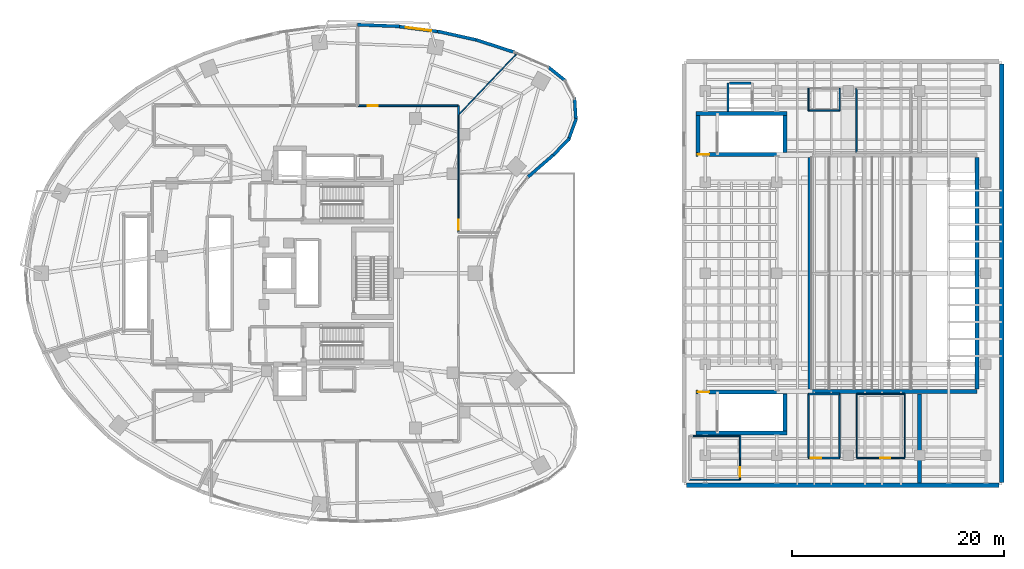
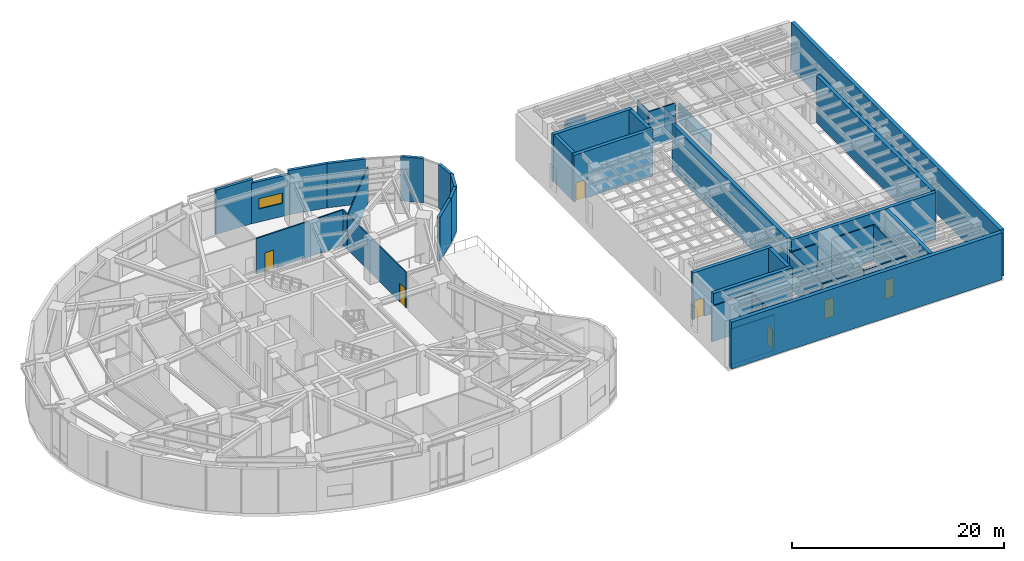
# One storey, part 15 of 19: 44 walls, 7 doors, 1 window, 8 openings.
"""IFC4 building model written with IfcOpenShell, lengths in metres."""

from ifc_helpers import new_model, si_unit, direction, frame, frame_2d, origin, place, context, subcontext, project, spatial, rectangle, extrude, material, layer, layer_set, type_object, element, fill, save


model = new_model("IFC4")

# Units and contexts
model_context = context("Model", 3, precision=1e-05, world=origin(), true_north=direction((0.0, 1.0)))
body_context = subcontext(model_context, "Body", "Model", "MODEL_VIEW")
ifc_project = project(units=[si_unit("LENGTHUNIT", "METRE"), si_unit("AREAUNIT", "SQUARE_METRE"), si_unit("VOLUMEUNIT", "CUBIC_METRE"), si_unit("PLANEANGLEUNIT", "RADIAN"), si_unit("MASSUNIT", "GRAM", prefix="KILO")], contexts=[model_context])

# Site, building, storey
site_placement = place(None, origin())
site = spatial("IfcSite", under=ifc_project, at=site_placement, CompositionType="ELEMENT")
building_placement = place(site_placement, origin())
building = spatial("IfcBuilding", under=site, at=building_placement, Name="Korentha Bioscience Tower", CompositionType="ELEMENT")
storey_placement = place(building_placement, frame((0.0, 0.0, 20.39990234375)))
storey = spatial("IfcBuildingStorey", under=building, at=storey_placement, Name="L04", CompositionType="ELEMENT", Elevation=20.39990234375)

# Wall, opening, door
ifc_material_1 = material(Name="Double-Stud Acoustic Gypsum", Category="gypsum")
ifc_layer_1 = layer(ifc_material_1, 0.14990234375, Name="Double-Stud Acoustic Gypsum")
ifc_layer_set_1 = layer_set([ifc_layer_1], Name="Double-Stud Acoustic Gypsum (IW-L150)")
wall_type_1 = type_object("IfcWallType", Name="Acoustic Laboratory Partition Wall 150", PredefinedType="PARTITIONING", material=ifc_layer_set_1)
wall_1_placement = place(storey_placement, frame((43.199951171875, 42.81005859375, 0.0), z_axis=(0.0, 0.0, 1.0), x_axis=(-1.0, 0.0, 0.0)))
wall_1 = element("IfcWall", 1, at=wall_1_placement, inside=storey, type_object=wall_type_1, Name="L04 Visiting Scholars' Seminar Suite 08 Entrance Wall", PredefinedType="PARTITIONING", context=body_context, shape_type="SweptSolid", body=[
    extrude(rectangle(XDim=9.498046875, YDim=0.14990234375, at=frame_2d((4.7490234375, 0.0))), origin(), (0.0, 0.0, 1.0), 4.110107421875),
])
opening_1_placement = place(wall_1_placement, frame((7.623046875, 0.0, 0.0)))
opening_1 = element("IfcOpeningElement", 2, at=opening_1_placement, cuts=wall_1, Name="Opening ID-10R", PredefinedType="OPENING", context=body_context, shape_type="SweptSolid", body=[
    extrude(rectangle(XDim=0.949951171875, YDim=2.14990234375, at=frame_2d((0.47509765625, 1.074951171875))), frame((0.0, 0.08984375, 0.0), z_axis=(0.0, -1.0, 0.0), x_axis=(1.0, 0.0, 0.0)), (0.0, 0.0, 1.0), 0.1796875),
])
ifc_material_2 = material(Name="Phenolic Laminate Timber Core", Category="wood")
door_type_1 = type_object("IfcDoorType", Name="Laboratory Single Leaf Door 950x2150 Right", OperationType="SINGLE_SWING_RIGHT", PredefinedType="DOOR", material=ifc_material_2)
door_1_placement = place(opening_1_placement, origin())
door_1 = element("IfcDoor", 3, at=door_1_placement, inside=storey, type_object=door_type_1, Name="L04 Visiting Scholars' Seminar Suite 08 Door", OperationType="SINGLE_SWING_RIGHT", OverallHeight=2.14990234375, OverallWidth=0.949951171875, PredefinedType="DOOR", context=body_context, shape_type="SweptSolid", body=[
    extrude(rectangle(XDim=0.949951171875, YDim=2.14990234375, at=frame_2d((0.47509765625, 1.074951171875))), frame((0.0, 0.02490234375, 0.0), z_axis=(0.0, -1.0, 0.0), x_axis=(1.0, 0.0, 0.0)), (0.0, 0.0, 1.0), 0.050048828125),
])
fill(opening_1, door_1)

wall_2_placement = place(storey_placement, frame((79.199951171875, 9.56005859375, 0.0), z_axis=(0.0, 0.0, 1.0), x_axis=(-1.0, 0.0, 0.0)))
wall_2 = element("IfcWall", 4, at=wall_2_placement, inside=storey, type_object=wall_type_1, Name="L04 L04 Soloists' Dressing Suite Entrance Wall", PredefinedType="PARTITIONING", context=body_context, shape_type="SweptSolid", body=[
    extrude(rectangle(XDim=2.949951171875, YDim=0.14990234375, at=frame_2d((1.47509765625, 0.0))), origin(), (0.0, 0.0, 1.0), 4.110107421875),
])
opening_2_placement = place(wall_2_placement, frame((1.760009765625, 0.0, 0.0)))
opening_2 = element("IfcOpeningElement", 5, at=opening_2_placement, cuts=wall_2, Name="Opening ID-10R", PredefinedType="OPENING", context=body_context, shape_type="SweptSolid", body=[
    extrude(rectangle(XDim=0.949951171875, YDim=2.14990234375, at=frame_2d((0.47509765625, 1.074951171875))), frame((0.0, 0.08984375, 0.0), z_axis=(0.0, -1.0, 0.0), x_axis=(1.0, 0.0, 0.0)), (0.0, 0.0, 1.0), 0.1796875),
])
door_2_placement = place(opening_2_placement, origin())
door_2 = element("IfcDoor", 6, at=door_2_placement, inside=storey, type_object=door_type_1, Name="L04 L04 Soloists' Dressing Suite Door", OperationType="SINGLE_SWING_RIGHT", OverallHeight=2.14990234375, OverallWidth=0.949951171875, PredefinedType="DOOR", context=body_context, shape_type="SweptSolid", body=[
    extrude(rectangle(XDim=0.949951171875, YDim=2.14990234375, at=frame_2d((0.47509765625, 1.074951171875))), frame((0.0, 0.02490234375, 0.0), z_axis=(0.0, -1.0, 0.0), x_axis=(1.0, 0.0, 0.0)), (0.0, 0.0, 1.0), 0.050048828125),
])
fill(opening_2, door_2)

# Walls
wall_3_placement = place(storey_placement, frame((43.2099609375, 41.961181640625, 0.0), z_axis=(0.0, 0.0, 1.0), x_axis=(0.0, 1.0, 0.0)))
element("IfcWall", 7, at=wall_3_placement, inside=storey, type_object=wall_type_1, Name="L04 Interior Partition 045", PredefinedType="PARTITIONING", context=body_context, shape_type="SweptSolid", body=[
    extrude(rectangle(XDim=0.8388671875, YDim=0.14990234375, at=frame_2d((0.41943359375, 0.0))), origin(), (0.0, 0.0, 1.0), 4.110107421875),
])
wall_4_placement = place(storey_placement, frame((79.199951171875, 15.60009765625, 0.0), z_axis=(0.0, 0.0, 1.0), x_axis=(0.0, -1.0, 0.0)))
element("IfcWall", 8, at=wall_4_placement, inside=storey, type_object=wall_type_1, Name="L04 Interior Partition 065", PredefinedType="PARTITIONING", context=body_context, shape_type="SweptSolid", body=[
    extrude(rectangle(XDim=6.0400390625, YDim=0.14990234375, at=frame_2d((3.02001953125, 0.0))), origin(), (0.0, 0.0, 1.0), 2.22021484375),
])
wall_5_placement = place(storey_placement, frame((76.25, 9.56005859375, 0.0), z_axis=(0.0, 0.0, 1.0), x_axis=(0.0, 1.0, 0.0)))
element("IfcWall", 9, at=wall_5_placement, inside=storey, type_object=wall_type_1, Name="L04 Interior Partition 066", PredefinedType="PARTITIONING", context=body_context, shape_type="SweptSolid", body=[
    extrude(rectangle(XDim=6.0400390625, YDim=0.14990234375, at=frame_2d((3.02001953125, 0.0))), origin(), (0.0, 0.0, 1.0), 4.110107421875),
])
wall_6_placement = place(storey_placement, frame((76.25, 15.60009765625, 0.0), z_axis=(0.0, 0.0, 1.0), x_axis=(1.0, 0.0, 0.0)))
element("IfcWall", 10, at=wall_6_placement, inside=storey, type_object=wall_type_1, Name="L04 Interior Partition 067", PredefinedType="PARTITIONING", context=body_context, shape_type="SweptSolid", body=[
    extrude(rectangle(XDim=2.949951171875, YDim=0.14990234375, at=frame_2d((1.47509765625, 0.0))), origin(), (0.0, 0.0, 1.0), 4.110107421875),
])

# Wall, opening, door
ifc_material_3 = material(Name="Fire-Rated Framed Glass", Category="glass")
ifc_layer_2 = layer(ifc_material_3, 0.110107421875, Name="Fire-Rated Framed Glass")
ifc_layer_set_2 = layer_set([ifc_layer_2], Name="Fire-Rated Framed Glass (IW-G110)")
wall_type_2 = type_object("IfcWallType", Name="Demountable Glazed Office Partition 110", PredefinedType="MOVABLE", material=ifc_layer_set_2)
wall_7_placement = place(storey_placement, frame((43.2099609375, 30.85205078125, 0.0), z_axis=(0.0, 0.0, 1.0), x_axis=(0.0, 1.0, 0.0)))
wall_7 = element("IfcWall", 11, at=wall_7_placement, inside=storey, type_object=wall_type_2, Name="L04 Industry Incubator Co-Working Studio 07 Entrance Wall", PredefinedType="MOVABLE", context=body_context, shape_type="SweptSolid", body=[
    extrude(rectangle(XDim=11.0947265625, YDim=0.110107421875, at=frame_2d((5.54736328125, 0.0))), origin(), (0.0, 0.0, 1.0), 4.110107421875),
])
opening_3_placement = place(wall_7_placement, frame((0.239990234375, 0.0, 0.0)))
opening_3 = element("IfcOpeningElement", 12, at=opening_3_placement, cuts=wall_7, Name="Opening ID-10L", PredefinedType="OPENING", context=body_context, shape_type="SweptSolid", body=[
    extrude(rectangle(XDim=0.949951171875, YDim=2.14990234375, at=frame_2d((0.47509765625, 1.074951171875))), frame((0.0, 0.06982421875, 0.0), z_axis=(0.0, -1.0, 0.0), x_axis=(1.0, 0.0, 0.0)), (0.0, 0.0, 1.0), 0.139892578125),
])
door_type_2 = type_object("IfcDoorType", Name="Laboratory Single Leaf Door 950x2150 Left", OperationType="SINGLE_SWING_LEFT", PredefinedType="DOOR", material=ifc_material_2)
door_3_placement = place(opening_3_placement, origin())
door_3 = element("IfcDoor", 13, at=door_3_placement, inside=storey, type_object=door_type_2, Name="L04 Industry Incubator Co-Working Studio 07 Door", OperationType="SINGLE_SWING_LEFT", OverallHeight=2.14990234375, OverallWidth=0.949951171875, PredefinedType="DOOR", context=body_context, shape_type="SweptSolid", body=[
    extrude(rectangle(XDim=0.949951171875, YDim=2.14990234375, at=frame_2d((0.47509765625, 1.074951171875))), frame((0.0, 0.02490234375, 0.0), z_axis=(0.0, -1.0, 0.0), x_axis=(1.0, 0.0, 0.0)), (0.0, 0.0, 1.0), 0.050048828125),
])
fill(opening_3, door_3)

wall_8_placement = place(storey_placement, frame((85.35009765625, 9.56005859375, 0.0), z_axis=(0.0, 0.0, 1.0), x_axis=(-1.0, 0.0, 0.0)))
wall_8 = element("IfcWall", 14, at=wall_8_placement, inside=storey, type_object=wall_type_2, Name="L04 L04 Ensemble Rehearsal Studio Entrance Wall", PredefinedType="MOVABLE", context=body_context, shape_type="SweptSolid", body=[
    extrude(rectangle(XDim=4.550048828125, YDim=0.110107421875, at=frame_2d((2.27490234375, 0.0))), origin(), (0.0, 0.0, 1.0), 4.110107421875),
])
opening_4_placement = place(wall_8_placement, frame((1.369140625, 0.0, 0.0)))
opening_4 = element("IfcOpeningElement", 15, at=opening_4_placement, cuts=wall_8, Name="Opening ID-10L", PredefinedType="OPENING", context=body_context, shape_type="SweptSolid", body=[
    extrude(rectangle(XDim=0.949951171875, YDim=2.14990234375, at=frame_2d((0.47509765625, 1.074951171875))), frame((0.0, 0.06982421875, 0.0), z_axis=(0.0, -1.0, 0.0), x_axis=(1.0, 0.0, 0.0)), (0.0, 0.0, 1.0), 0.139892578125),
])
door_4_placement = place(opening_4_placement, origin())
door_4 = element("IfcDoor", 16, at=door_4_placement, inside=storey, type_object=door_type_2, Name="L04 L04 Ensemble Rehearsal Studio Door", OperationType="SINGLE_SWING_LEFT", OverallHeight=2.14990234375, OverallWidth=0.949951171875, PredefinedType="DOOR", context=body_context, shape_type="SweptSolid", body=[
    extrude(rectangle(XDim=0.949951171875, YDim=2.14990234375, at=frame_2d((0.47509765625, 1.074951171875))), frame((0.0, 0.02490234375, 0.0), z_axis=(0.0, -1.0, 0.0), x_axis=(1.0, 0.0, 0.0)), (0.0, 0.0, 1.0), 0.050048828125),
])
fill(opening_4, door_4)

# Walls
wall_9_placement = place(storey_placement, frame((43.2099609375, 41.94677734375, 0.0), z_axis=(0.0, 0.0, 1.0), x_axis=(0.689609379857, 0.724181540232, 0.0)))
element("IfcWall", 17, at=wall_9_placement, inside=storey, type_object=wall_type_2, Name="L04 Interior Partition 044", PredefinedType="MOVABLE", context=body_context, shape_type="SweptSolid", body=[
    extrude(rectangle(XDim=8.12109375, YDim=0.110107421875, at=frame_2d((4.060546875, 0.0))), origin(), (0.0, 0.0, 1.0), 4.110107421875),
])
for number, where, z_axis, x_axis, name in (
    (18, (85.35009765625, 15.60009765625, 0.0), (0.0, 0.0, 1.0), (0.0, -1.0, 0.0), "L04 Interior Partition 068"),
    (19, (80.800048828125, 9.56005859375, 0.0), (0.0, 0.0, 1.0), (0.0, 1.0, 0.0), "L04 Interior Partition 069"),
):
    element("IfcWall", number, at=place(storey_placement, frame(where, z_axis=z_axis, x_axis=x_axis)), inside=storey, type_object=wall_type_2, Name=name, PredefinedType="MOVABLE", context=body_context, shape_type="SweptSolid", body=[
        extrude(rectangle(XDim=6.0400390625, YDim=0.110107421875, at=frame_2d((3.02001953125, 0.0))), origin(), (0.0, 0.0, 1.0), 4.110107421875),
    ])
wall_10_placement = place(storey_placement, frame((80.800048828125, 15.60009765625, 0.0), z_axis=(0.0, 0.0, 1.0), x_axis=(1.0, 0.0, 0.0)))
element("IfcWall", 20, at=wall_10_placement, inside=storey, type_object=wall_type_2, Name="L04 Interior Partition 070", PredefinedType="MOVABLE", context=body_context, shape_type="SweptSolid", body=[
    extrude(rectangle(XDim=4.550048828125, YDim=0.110107421875, at=frame_2d((2.27490234375, 0.0))), origin(), (0.0, 0.0, 1.0), 4.110107421875),
])
ifc_material_4 = material(Name="Gypsum-Clad Steel Stud", Category="steel")
ifc_layer_3 = layer(ifc_material_4, 0.159912109375, Name="Gypsum-Clad Steel Stud")
ifc_layer_set_3 = layer_set([ifc_layer_3], Name="Gypsum-Clad Steel Stud (IW-C160)")
wall_type_3 = type_object("IfcWallType", Name="Fire-Rated Corridor Partition Wall 160", PredefinedType="PARTITIONING", material=ifc_layer_set_3)
wall_11_placement = place(storey_placement, frame((80.800048828125, 38.39990234375, 0.0), z_axis=(0.0, 0.0, 1.0), x_axis=(0.0, 1.0, 0.0)))
element("IfcWall", 21, at=wall_11_placement, inside=storey, type_object=wall_type_3, Name="L04 Interior Partition 072", PredefinedType="PARTITIONING", context=body_context, shape_type="SweptSolid", body=[
    extrude(rectangle(XDim=6.0400390625, YDim=0.159912109375, at=frame_2d((3.02001953125, 0.0))), origin(), (0.0, 0.0, 1.0), 2.22021484375),
])

# Wall, opening, window
ifc_material_5 = material(Name="Honed Limestone Precast Concrete C40", Category="masonry")
ifc_layer_4 = layer(ifc_material_5, 0.300048828125, Name="Honed Limestone Precast Concrete C40")
ifc_layer_set_4 = layer_set([ifc_layer_4], Name="Honed Limestone Precast Concrete C40 (EW-ST300)")
wall_type_4 = type_object("IfcWallType", Name="Honed Limestone Cavity Spandrel Wall 300", PredefinedType="STANDARD", material=ifc_layer_set_4)
wall_12_placement = place(storey_placement, frame((41.37255859375, 49.797607421875, 0.0), z_axis=(0.0, 0.0, 1.0), x_axis=(-0.991741322416, 0.128254237408, 0.0)))
wall_12 = element("IfcWall", 22, at=wall_12_placement, inside=storey, type_object=wall_type_4, Name="L04 Honed Limestone Spandrel Wall 04", PredefinedType="STANDARD", context=body_context, shape_type="SweptSolid", body=[
    extrude(rectangle(XDim=3.91552734375, YDim=0.300048828125, at=frame_2d((1.957763671875, 0.0))), origin(), (0.0, 0.0, 1.0), 4.670166015625),
])
opening_5_placement = place(wall_12_placement, frame((0.7578125, 0.0, 1.5)))
opening_5 = element("IfcOpeningElement", 23, at=opening_5_placement, cuts=wall_12, Name="Opening WN-04", PredefinedType="OPENING", context=body_context, shape_type="SweptSolid", body=[
    extrude(rectangle(XDim=2.39990234375, YDim=1.199951171875, at=frame_2d((1.199951171875, 0.60009765625))), frame((0.0, 0.1650390625, 0.0), z_axis=(0.0, -1.0, 0.0), x_axis=(1.0, 0.0, 0.0)), (0.0, 0.0, 1.0), 0.329833984375),
])
ifc_material_6 = material(Name="Thermally Broken Aluminium Triple Glazing", Category="aluminium")
window_type = type_object("IfcWindowType", Name="Podium Clerestory Ribbon Window 2400x1200", PartitioningType="DOUBLE_PANEL_HORIZONTAL", PredefinedType="WINDOW", material=ifc_material_6)
window_placement = place(opening_5_placement, origin())
window = element("IfcWindow", 24, at=window_placement, inside=storey, type_object=window_type, Name="L04 Facade Window 04", OverallHeight=1.199951171875, OverallWidth=2.39990234375, PartitioningType="DOUBLE_PANEL_HORIZONTAL", PredefinedType="WINDOW", context=body_context, shape_type="SweptSolid", body=[
    extrude(rectangle(XDim=2.39990234375, YDim=1.199951171875, at=frame_2d((1.199951171875, 0.60009765625))), frame((0.0, 0.030029296875, 0.0), z_axis=(0.0, -1.0, 0.0), x_axis=(1.0, 0.0, 0.0)), (0.0, 0.0, 1.0), 0.06005859375),
])
fill(opening_5, window)

# Walls
wall_13_placement = place(storey_placement, frame((48.524658203125, 47.84912109375, 0.0), z_axis=(0.0, 0.0, 1.0), x_axis=(-0.950965833732, 0.309295947393, 0.0)))
element("IfcWall", 25, at=wall_13_placement, inside=storey, type_object=wall_type_4, Name="L04 Limestone Perimeter Closure Wall 02", PredefinedType="STANDARD", context=body_context, shape_type="SweptSolid", body=[
    extrude(rectangle(XDim=3.840087890625, YDim=0.300048828125, at=frame_2d((1.919921875, 0.0))), origin(), (0.0, 0.0, 1.0), 5.10009765625),
])
wall_14_placement = place(storey_placement, frame((45.03955078125, 48.9912109375, 0.0), z_axis=(0.0, 0.0, 1.0), x_axis=(-0.975868573345, 0.218358713032, 0.0)))
element("IfcWall", 26, at=wall_14_placement, inside=storey, type_object=wall_type_4, Name="L04 Limestone Perimeter Closure Wall 03", PredefinedType="STANDARD", context=body_context, shape_type="SweptSolid", body=[
    extrude(rectangle(XDim=3.90869140625, YDim=0.300048828125, at=frame_2d((1.954345703125, 0.0))), origin(), (0.0, 0.0, 1.0), 5.10009765625),
])
wall_15_placement = place(storey_placement, frame((37.643798828125, 50.307861328125, 0.0), z_axis=(0.0, 0.0, 1.0), x_axis=(-0.999245411623, 0.038840794937, 0.0)))
element("IfcWall", 27, at=wall_15_placement, inside=storey, type_object=wall_type_4, Name="L04 Limestone Perimeter Closure Wall 05", PredefinedType="STANDARD", context=body_context, shape_type="SweptSolid", body=[
    extrude(rectangle(XDim=3.978759765625, YDim=0.300048828125, at=frame_2d((1.9892578125, 0.0))), origin(), (0.0, 0.0, 1.0), 5.10009765625),
])
wall_16_placement = place(storey_placement, frame((49.708984375, 36.029296875, 0.0), z_axis=(0.0, 0.0, 1.0), x_axis=(0.754746490246, 0.656016566454, 0.0)))
element("IfcWall", 28, at=wall_16_placement, inside=storey, type_object=wall_type_4, Name="L04 Limestone Perimeter Closure Wall 56", PredefinedType="STANDARD", context=body_context, shape_type="SweptSolid", body=[
    extrude(rectangle(XDim=3.4296875, YDim=0.300048828125, at=frame_2d((1.71484375, 0.0))), origin(), (0.0, 0.0, 1.0), 5.10009765625),
])
wall_17_placement = place(storey_placement, frame((52.1728515625, 38.1611328125, 0.0), z_axis=(0.0, 0.0, 1.0), x_axis=(0.695404695719, 0.718618333451, 0.0)))
element("IfcWall", 29, at=wall_17_placement, inside=storey, type_object=wall_type_4, Name="L04 Limestone Perimeter Closure Wall 58", PredefinedType="STANDARD", context=body_context, shape_type="SweptSolid", body=[
    extrude(rectangle(XDim=2.1875, YDim=0.300048828125, at=frame_2d((1.09375, 0.0))), origin(), (0.0, 0.0, 1.0), 5.10009765625),
])
for number, where, z_axis, x_axis, name in (
    (30, (53.580078125, 39.551513671875, 0.0), (0.0, 0.0, 1.0), (0.344939866054, 0.938624785954, 0.0), "L04 Limestone Perimeter Closure Wall 59"),
    (31, (54.303955078125, 41.392578125, 0.0), (0.0, 0.0, 1.0), (-0.064615302336, 0.99791024782, 0.0), "L04 Limestone Perimeter Closure Wall 60"),
    (32, (53.343994140625, 45.142822265625, 0.0), (0.0, 0.0, 1.0), (-0.782282158644, 0.622924252432, 0.0), "L04 Limestone Perimeter Closure Wall 62"),
):
    element("IfcWall", number, at=place(storey_placement, frame(where, z_axis=z_axis, x_axis=x_axis)), inside=storey, type_object=wall_type_4, Name=name, PredefinedType="STANDARD", context=body_context, shape_type="SweptSolid", body=[
        extrude(rectangle(XDim=2.187744140625, YDim=0.300048828125, at=frame_2d((1.09375, 0.0))), origin(), (0.0, 0.0, 1.0), 5.10009765625),
    ])
ifc_material_7 = material(Name="Autoclaved Aerated Concrete Block C25", Category="concrete")
ifc_layer_5 = layer(ifc_material_7, 0.199951171875, Name="Autoclaved Aerated Concrete Block C25")
ifc_layer_set_5 = layer_set([ifc_layer_5], Name="Autoclaved Aerated Concrete Block C25 (IW-S200)")
wall_type_5 = type_object("IfcWallType", Name="Lift and Riser Shaft Enclosure Wall 200", PredefinedType="PARTITIONING", material=ifc_layer_set_5)
wall_18_placement = place(storey_placement, frame((68.659912109375, 42.260009765625, 0.0), z_axis=(0.0, 0.0, 1.0), x_axis=(0.0, 1.0, 0.0)))
element("IfcWall", 33, at=wall_18_placement, inside=storey, type_object=wall_type_5, Name="L04 Lift Bank LT1 Shaft Wall -X", PredefinedType="PARTITIONING", context=body_context, shape_type="SweptSolid", body=[
    extrude(rectangle(XDim=2.679931640625, YDim=0.199951171875, at=frame_2d((1.33984375, 0.0))), origin(), (0.0, 0.0, 1.0), 4.110107421875),
])
wall_19_placement = place(storey_placement, frame((68.780029296875, 44.93994140625, 0.0), z_axis=(0.0, 0.0, 1.0), x_axis=(1.0, 0.0, 0.0)))
element("IfcWall", 34, at=wall_19_placement, inside=storey, type_object=wall_type_5, Name="L04 Lift Bank LT1 Shaft Wall +Y", PredefinedType="PARTITIONING", context=body_context, shape_type="SweptSolid", body=[
    extrude(rectangle(XDim=2.0400390625, YDim=0.199951171875, at=frame_2d((1.02001953125, 0.0))), origin(), (0.0, 0.0, 1.0), 4.110107421875),
])
ifc_material_8 = material(Name="Concrete C50", Category="concrete")
ifc_layer_6 = layer(ifc_material_8, 0.419921875, Name="Concrete C50")
ifc_layer_set_6 = layer_set([ifc_layer_6], Name="Concrete C50 (TW-E420)")
wall_type_6 = type_object("IfcWallType", Name="Theatre Acoustic Shear Wall 420", PredefinedType="SHEAR", material=ifc_layer_set_6)
wall_20_placement = place(storey_placement, frame((94.5, 46.75, 0.0), z_axis=(0.0, 0.0, 1.0), x_axis=(0.0, -1.0, 0.0)))
element("IfcWall", 35, at=wall_20_placement, inside=storey, type_object=wall_type_6, Name="L04 Theatre Acoustic Shear Wall E", PredefinedType="SHEAR", context=body_context, shape_type="SweptSolid", body=[
    extrude(rectangle(XDim=39.5, YDim=0.419921875, at=frame_2d((19.75, 0.0))), origin(), (0.0, 0.0, 1.0), 5.400146484375),
])
wall_21_placement = place(storey_placement, frame((94.25, 7.0, 0.0), z_axis=(0.0, 0.0, 1.0), x_axis=(-1.0, 0.0, 0.0)))
element("IfcWall", 36, at=wall_21_placement, inside=storey, type_object=wall_type_6, Name="L04 Theatre Acoustic Shear Wall S", PredefinedType="SHEAR", context=body_context, shape_type="SweptSolid", body=[
    extrude(rectangle(XDim=29.5, YDim=0.419921875, at=frame_2d((14.75, 0.0))), origin(), (0.0, 0.0, 1.0), 5.400146484375),
])
ifc_layer_7 = layer(ifc_material_8, 0.3798828125, Name="Concrete C50")
ifc_layer_set_7 = layer_set([ifc_layer_7], Name="Concrete C50 (TW-I380)")
wall_type_7 = type_object("IfcWallType", Name="Theatre Proscenium Shear Wall 380", PredefinedType="SHEAR", material=ifc_layer_set_7)
wall_22_placement = place(storey_placement, frame((86.75, 7.2099609375, 0.0), z_axis=(0.0, 0.0, 1.0), x_axis=(0.0, 1.0, 0.0)))
element("IfcWall", 37, at=wall_22_placement, inside=storey, type_object=wall_type_7, Name="L04 Theatre Shear Wall PROSC-S", PredefinedType="SHEAR", context=body_context, shape_type="SweptSolid", body=[
    extrude(rectangle(XDim=8.41015625, YDim=0.3798828125, at=frame_2d((4.205078125, 0.0))), origin(), (0.0, 0.0, 1.0), 5.400146484375),
])
wall_23_placement = place(storey_placement, frame((76.39990234375, 15.85009765625, 0.0), z_axis=(0.0, 0.0, 1.0), x_axis=(1.0, 0.0, 0.0)))
element("IfcWall", 38, at=wall_23_placement, inside=storey, type_object=wall_type_7, Name="L04 Theatre Shear Wall ACSH-S1", PredefinedType="SHEAR", context=body_context, shape_type="SweptSolid", body=[
    extrude(rectangle(XDim=15.75, YDim=0.3798828125, at=frame_2d((7.875, 0.0))), origin(), (0.0, 0.0, 1.0), 5.400146484375),
])
for number, where, z_axis, x_axis, name in (
    (39, (92.14990234375, 16.080078125, 0.0), (0.0, 0.0, 1.0), (0.0, 1.0, 0.0), "L04 Theatre Shear Wall FLY-E"),
    (40, (76.39990234375, 16.080078125, 0.0), (0.0, 0.0, 1.0), (0.0, 1.0, 0.0), "L04 Theatre Shear Wall ACSH-W"),
):
    element("IfcWall", number, at=place(storey_placement, frame(where, z_axis=z_axis, x_axis=x_axis)), inside=storey, type_object=wall_type_7, Name=name, PredefinedType="SHEAR", context=body_context, shape_type="SweptSolid", body=[
        extrude(rectangle(XDim=21.83984375, YDim=0.3798828125, at=frame_2d((10.919921875, 0.0))), origin(), (0.0, 0.0, 1.0), 5.400146484375),
    ])
wall_24_placement = place(storey_placement, frame((65.6201171875, 11.909912109375, 0.0), z_axis=(0.0, 0.0, 1.0), x_axis=(1.0, 0.0, 0.0)))
element("IfcWall", 41, at=wall_24_placement, inside=storey, type_object=wall_type_7, Name="L04 Theatre Shear Wall STT1-S", PredefinedType="SHEAR", context=body_context, shape_type="SweptSolid", body=[
    extrude(rectangle(XDim=8.60986328125, YDim=0.3798828125, at=frame_2d((4.304931640625, 0.0))), origin(), (0.0, 0.0, 1.0), 5.400146484375),
])

# Wall, opening, door
wall_25_placement = place(storey_placement, frame((65.6201171875, 15.7900390625, 0.0), z_axis=(0.0, 0.0, 1.0), x_axis=(1.0, 0.0, 0.0)))
wall_25 = element("IfcWall", 42, at=wall_25_placement, inside=storey, type_object=wall_type_7, Name="L04 Theatre Shear Wall STT1-N", PredefinedType="SHEAR", context=body_context, shape_type="SweptSolid", body=[
    extrude(rectangle(XDim=8.60986328125, YDim=0.3798828125, at=frame_2d((4.304931640625, 0.0))), origin(), (0.0, 0.0, 1.0), 5.400146484375),
])
opening_6_placement = place(wall_25_placement, frame((0.199951171875, 0.0, 0.0)))
opening_6 = element("IfcOpeningElement", 43, at=opening_6_placement, cuts=wall_25, Name="Opening FD-90R", PredefinedType="OPENING", context=body_context, shape_type="SweptSolid", body=[
    extrude(rectangle(XDim=1.050048828125, YDim=2.14990234375, at=frame_2d((0.52490234375, 1.074951171875))), frame((0.0, 0.204833984375, 0.0), z_axis=(0.0, -1.0, 0.0), x_axis=(1.0, 0.0, 0.0)), (0.0, 0.0, 1.0), 0.40966796875),
])
ifc_material_9 = material(Name="Powder-Coated Fire-Rated Steel", Category="steel")
door_type_3 = type_object("IfcDoorType", Name="Stairwell Fire Exit Door 1050x2150 Right", OperationType="SINGLE_SWING_RIGHT", PredefinedType="DOOR", material=ifc_material_9)
door_5_placement = place(opening_6_placement, origin())
door_5 = element("IfcDoor", 44, at=door_5_placement, inside=storey, type_object=door_type_3, Name="L04 ST-T1 Fire Exit Stair Door", OperationType="SINGLE_SWING_RIGHT", OverallHeight=2.14990234375, OverallWidth=1.050048828125, PredefinedType="DOOR", context=body_context, shape_type="SweptSolid", body=[
    extrude(rectangle(XDim=1.050048828125, YDim=2.14990234375, at=frame_2d((0.52490234375, 1.074951171875))), frame((0.0, 0.02490234375, 0.0), z_axis=(0.0, -1.0, 0.0), x_axis=(1.0, 0.0, 0.0)), (0.0, 0.0, 1.0), 0.050048828125),
])
fill(opening_6, door_5)

# Wall
wall_26_placement = place(storey_placement, frame((74.0400390625, 12.110107421875, 0.0), z_axis=(0.0, 0.0, 1.0), x_axis=(0.0, 1.0, 0.0)))
element("IfcWall", 45, at=wall_26_placement, inside=storey, type_object=wall_type_7, Name="L04 Theatre Shear Wall STT1-E", PredefinedType="SHEAR", context=body_context, shape_type="SweptSolid", body=[
    extrude(rectangle(XDim=3.47998046875, YDim=0.3798828125, at=frame_2d((1.739990234375, 0.0))), origin(), (0.0, 0.0, 1.0), 5.400146484375),
])

# Wall, opening, door
wall_27_placement = place(storey_placement, frame((65.6201171875, 38.2099609375, 0.0), z_axis=(0.0, 0.0, 1.0), x_axis=(1.0, 0.0, 0.0)))
wall_27 = element("IfcWall", 46, at=wall_27_placement, inside=storey, type_object=wall_type_7, Name="L04 Theatre Shear Wall STT2-S", PredefinedType="SHEAR", context=body_context, shape_type="SweptSolid", body=[
    extrude(rectangle(XDim=8.60986328125, YDim=0.3798828125, at=frame_2d((4.304931640625, 0.0))), origin(), (0.0, 0.0, 1.0), 5.400146484375),
])
opening_7_placement = place(wall_27_placement, frame((0.199951171875, 0.0, 0.0)))
opening_7 = element("IfcOpeningElement", 47, at=opening_7_placement, cuts=wall_27, Name="Opening FD-90R", PredefinedType="OPENING", context=body_context, shape_type="SweptSolid", body=[
    extrude(rectangle(XDim=1.050048828125, YDim=2.14990234375, at=frame_2d((0.52490234375, 1.074951171875))), frame((0.0, 0.204833984375, 0.0), z_axis=(0.0, -1.0, 0.0), x_axis=(1.0, 0.0, 0.0)), (0.0, 0.0, 1.0), 0.40966796875),
])
door_6_placement = place(opening_7_placement, origin())
door_6 = element("IfcDoor", 48, at=door_6_placement, inside=storey, type_object=door_type_3, Name="L04 ST-T2 Fire Exit Stair Door", OperationType="SINGLE_SWING_RIGHT", OverallHeight=2.14990234375, OverallWidth=1.050048828125, PredefinedType="DOOR", context=body_context, shape_type="SweptSolid", body=[
    extrude(rectangle(XDim=1.050048828125, YDim=2.14990234375, at=frame_2d((0.52490234375, 1.074951171875))), frame((0.0, 0.02490234375, 0.0), z_axis=(0.0, -1.0, 0.0), x_axis=(1.0, 0.0, 0.0)), (0.0, 0.0, 1.0), 0.050048828125),
])
fill(opening_7, door_6)

# Walls
wall_28_placement = place(storey_placement, frame((65.6201171875, 42.090087890625, 0.0), z_axis=(0.0, 0.0, 1.0), x_axis=(1.0, 0.0, 0.0)))
element("IfcWall", 49, at=wall_28_placement, inside=storey, type_object=wall_type_7, Name="L04 Theatre Shear Wall STT2-N", PredefinedType="SHEAR", context=body_context, shape_type="SweptSolid", body=[
    extrude(rectangle(XDim=8.60986328125, YDim=0.3798828125, at=frame_2d((4.304931640625, 0.0))), origin(), (0.0, 0.0, 1.0), 5.400146484375),
])
for number, where, z_axis, x_axis, name in (
    (50, (74.0400390625, 38.409912109375, 0.0), (0.0, 0.0, 1.0), (0.0, 1.0, 0.0), "L04 Theatre Shear Wall STT2-E"),
    (51, (65.81005859375, 38.409912109375, 0.0), (0.0, 0.0, 1.0), (0.0, 1.0, 0.0), "L04 Theatre Shear Wall STT2-W"),
):
    element("IfcWall", number, at=place(storey_placement, frame(where, z_axis=z_axis, x_axis=x_axis)), inside=storey, type_object=wall_type_7, Name=name, PredefinedType="SHEAR", context=body_context, shape_type="SweptSolid", body=[
        extrude(rectangle(XDim=3.47998046875, YDim=0.3798828125, at=frame_2d((1.739990234375, 0.0))), origin(), (0.0, 0.0, 1.0), 5.400146484375),
    ])

# Wall, opening, door
ifc_material_10 = material(Name="Cement-Board Steel Stud", Category="steel")
ifc_layer_8 = layer(ifc_material_10, 0.1298828125, Name="Cement-Board Steel Stud")
ifc_layer_set_8 = layer_set([ifc_layer_8], Name="Cement-Board Steel Stud (IW-W130)")
wall_type_8 = type_object("IfcWallType", Name="Wet-Area Moisture-Resistant Partition 130", PredefinedType="PARTITIONING", material=ifc_layer_set_8)
wall_29_placement = place(storey_placement, frame((69.7900390625, 9.550048828125, 0.0), z_axis=(0.0, 0.0, 1.0), x_axis=(0.0, -1.0, 0.0)))
wall_29 = element("IfcWall", 52, at=wall_29_placement, inside=storey, type_object=wall_type_8, Name="L04 L04 Theatre Public Restrooms Entrance Wall", PredefinedType="PARTITIONING", context=body_context, shape_type="SweptSolid", body=[
    extrude(rectangle(XDim=2.050048828125, YDim=0.1298828125, at=frame_2d((1.02490234375, 0.0))), origin(), (0.0, 0.0, 1.0), 4.110107421875),
])
opening_8_placement = place(wall_29_placement, frame((0.8798828125, 0.0, 0.0)))
opening_8 = element("IfcOpeningElement", 53, at=opening_8_placement, cuts=wall_29, Name="Opening ID-09R", PredefinedType="OPENING", context=body_context, shape_type="SweptSolid", body=[
    extrude(rectangle(XDim=0.89990234375, YDim=2.14990234375, at=frame_2d((0.449951171875, 1.074951171875))), frame((0.0, 0.079833984375, 0.0), z_axis=(0.0, -1.0, 0.0), x_axis=(1.0, 0.0, 0.0)), (0.0, 0.0, 1.0), 0.15966796875),
])
ifc_material_11 = material(Name="Moisture-Resistant HPL Leaf", Category="wood")
door_type_4 = type_object("IfcDoorType", Name="Restroom & Accessible WC Door 900x2150 Right", OperationType="SINGLE_SWING_RIGHT", PredefinedType="DOOR", material=ifc_material_11)
door_7_placement = place(opening_8_placement, origin())
door_7 = element("IfcDoor", 54, at=door_7_placement, inside=storey, type_object=door_type_4, Name="L04 L04 Theatre Public Restrooms Door", OperationType="SINGLE_SWING_RIGHT", OverallHeight=2.14990234375, OverallWidth=0.89990234375, PredefinedType="DOOR", context=body_context, shape_type="SweptSolid", body=[
    extrude(rectangle(XDim=0.89990234375, YDim=2.14990234375, at=frame_2d((0.449951171875, 1.074951171875))), frame((0.0, 0.02490234375, 0.0), z_axis=(0.0, -1.0, 0.0), x_axis=(1.0, 0.0, 0.0)), (0.0, 0.0, 1.0), 0.050048828125),
])
fill(opening_8, door_7)

# Walls
wall_30_placement = place(storey_placement, frame((65.35009765625, 11.639892578125, 0.0), z_axis=(0.0, 0.0, 1.0), x_axis=(1.0, 0.0, 0.0)))
element("IfcWall", 55, at=wall_30_placement, inside=storey, type_object=wall_type_8, Name="L04 Interior Partition 059", PredefinedType="PARTITIONING", context=body_context, shape_type="SweptSolid", body=[
    extrude(rectangle(XDim=4.449951171875, YDim=0.1298828125, at=frame_2d((2.22509765625, 0.0))), origin(), (0.0, 0.0, 1.0), 4.110107421875),
])
wall_31_placement = place(storey_placement, frame((69.800048828125, 11.639892578125, 0.0), z_axis=(0.0, 0.0, 1.0), x_axis=(0.0, -1.0, 0.0)))
element("IfcWall", 56, at=wall_31_placement, inside=storey, type_object=wall_type_8, Name="L04 Interior Partition 060", PredefinedType="PARTITIONING", context=body_context, shape_type="SweptSolid", body=[
    extrude(rectangle(XDim=2.079833984375, YDim=0.1298828125, at=frame_2d((1.0400390625, 0.0))), origin(), (0.0, 0.0, 1.0), 4.110107421875),
])
wall_32_placement = place(storey_placement, frame((69.7900390625, 7.5, 0.0), z_axis=(0.0, 0.0, 1.0), x_axis=(-1.0, 0.0, 0.0)))
element("IfcWall", 57, at=wall_32_placement, inside=storey, type_object=wall_type_8, Name="L04 Interior Partition 061", PredefinedType="PARTITIONING", context=body_context, shape_type="SweptSolid", body=[
    extrude(rectangle(XDim=4.7900390625, YDim=0.1298828125, at=frame_2d((2.39501953125, 0.0))), origin(), (0.0, 0.0, 1.0), 4.110107421875),
])
wall_33_placement = place(storey_placement, frame((79.199951171875, 42.35009765625, 0.0), z_axis=(0.0, 0.0, 1.0), x_axis=(-1.0, 0.0, 0.0)))
element("IfcWall", 58, at=wall_33_placement, inside=storey, type_object=wall_type_8, Name="L04 Interior Partition 062", PredefinedType="PARTITIONING", context=body_context, shape_type="SweptSolid", body=[
    extrude(rectangle(XDim=2.949951171875, YDim=0.1298828125, at=frame_2d((1.47509765625, 0.0))), origin(), (0.0, 0.0, 1.0), 4.110107421875),
])
wall_34_placement = place(storey_placement, frame((76.25, 42.35009765625, 0.0), z_axis=(0.0, 0.0, 1.0), x_axis=(0.0, 1.0, 0.0)))
element("IfcWall", 59, at=wall_34_placement, inside=storey, type_object=wall_type_8, Name="L04 Interior Partition 063", PredefinedType="PARTITIONING", context=body_context, shape_type="SweptSolid", body=[
    extrude(rectangle(XDim=2.08984375, YDim=0.1298828125, at=frame_2d((1.044921875, 0.0))), origin(), (0.0, 0.0, 1.0), 4.110107421875),
])
wall_35_placement = place(storey_placement, frame((79.199951171875, 44.43994140625, 0.0), z_axis=(0.0, 0.0, 1.0), x_axis=(0.0, -1.0, 0.0)))
element("IfcWall", 60, at=wall_35_placement, inside=storey, type_object=wall_type_8, Name="L04 Interior Partition 064", PredefinedType="PARTITIONING", context=body_context, shape_type="SweptSolid", body=[
    extrude(rectangle(XDim=2.08984375, YDim=0.1298828125, at=frame_2d((1.044921875, 0.0))), origin(), (0.0, 0.0, 1.0), 2.22021484375),
])

save(model, "model.ifc")
